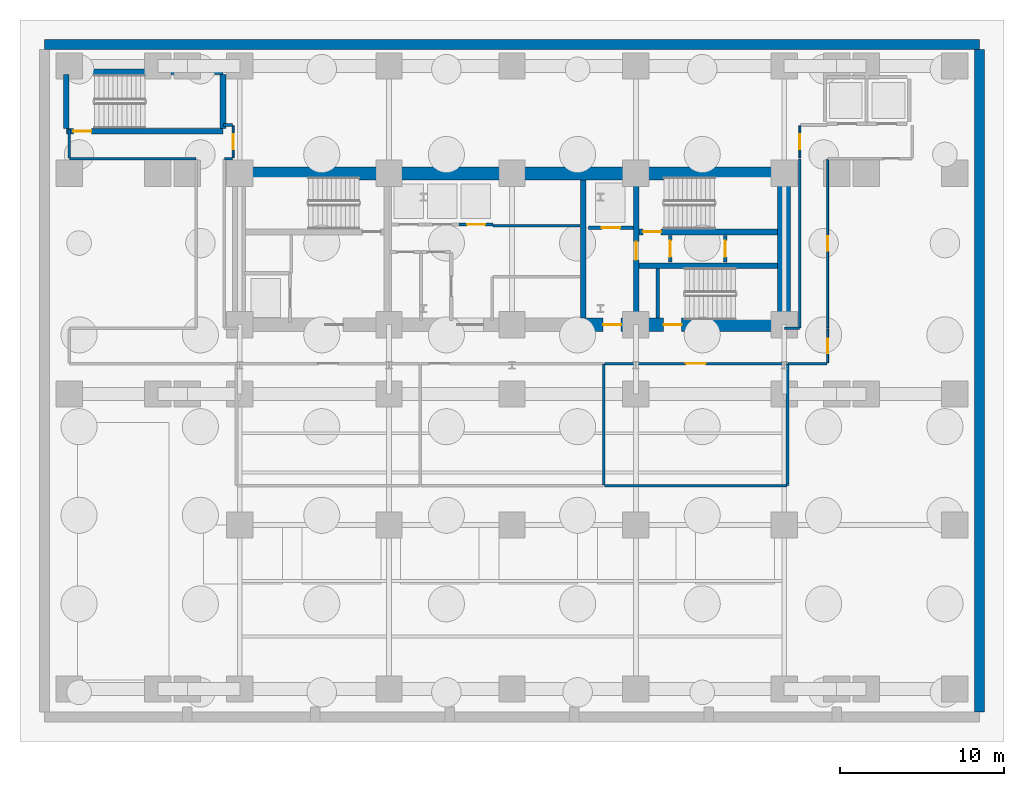
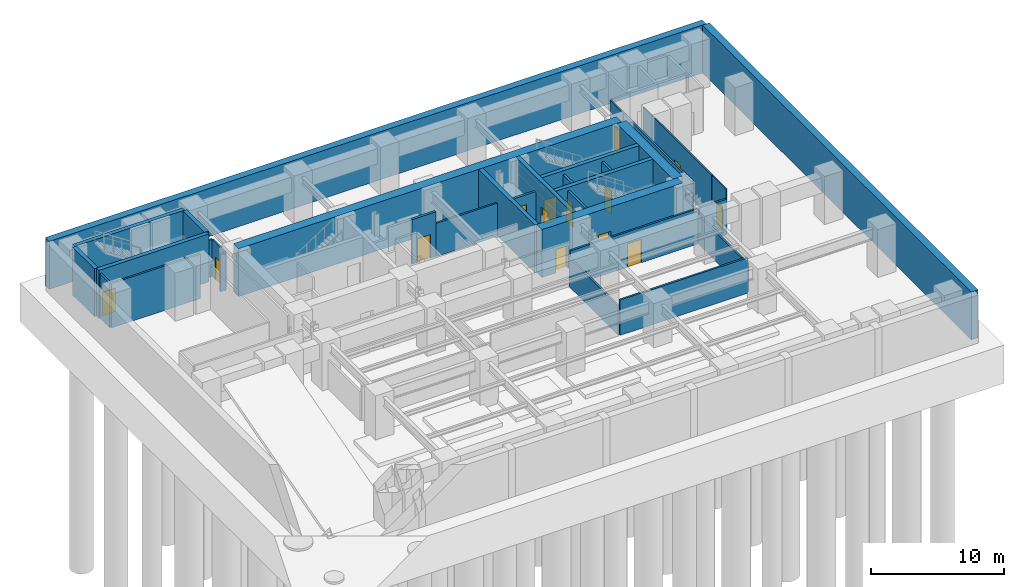
# One storey, part 4 of 9: 34 walls, 14 doors, 14 openings.
"""IFC4 building model written with IfcOpenShell, lengths in metres."""

from ifc_helpers import new_model, si_unit, direction, frame, frame_2d, origin, place, context, subcontext, project, spatial, rectangle, extrude, material, layer, layer_set, type_object, element, fill, save


model = new_model("IFC4")

# Units and contexts
model_context = context("Model", 3, precision=1e-05, world=origin(), true_north=direction((0.0, 1.0)))
body_context = subcontext(model_context, "Body", "Model", "MODEL_VIEW")
ifc_project = project(units=[si_unit("LENGTHUNIT", "METRE"), si_unit("AREAUNIT", "SQUARE_METRE"), si_unit("VOLUMEUNIT", "CUBIC_METRE"), si_unit("PLANEANGLEUNIT", "RADIAN"), si_unit("MASSUNIT", "GRAM", prefix="KILO")], contexts=[model_context])

# Site, building, storey
site_placement = place(None, origin())
site = spatial("IfcSite", under=ifc_project, at=site_placement, CompositionType="ELEMENT")
building_placement = place(site_placement, origin())
building = spatial("IfcBuilding", under=site, at=building_placement, Name="Zarnavel Station Tower", CompositionType="ELEMENT")
storey_placement = place(building_placement, frame((0.0, 0.0, -13.199951171875)))
storey = spatial("IfcBuildingStorey", under=building, at=storey_placement, Name="B03", CompositionType="ELEMENT", Elevation=-13.199951171875)

# Wall
ifc_material_1 = material(Name="Concrete C50/60", Category="concrete")
ifc_layer_1 = layer(ifc_material_1, 0.35009765625)
ifc_layer_set_1 = layer_set([ifc_layer_1], Name="CW_350")
wall_type_1 = type_object("IfcWallType", Name="CW_350", PredefinedType="SHEAR", material=ifc_layer_set_1)
wall_1_placement = place(storey_placement, frame((33.14990234375, 28.219970703125, 0.0), z_axis=(0.0, 0.0, 1.0), x_axis=(0.0, 1.0, 0.0)))
element("IfcWall", 1, at=wall_1_placement, inside=storey, type_object=wall_type_1, Name="B03 Rear Core Shear Wall DIV-E", PredefinedType="SHEAR", context=body_context, shape_type="SweptSolid", body=[
    extrude(rectangle(XDim=8.429931640625, YDim=0.35009765625, at=frame_2d((4.21484375, 0.0))), origin(), (0.0, 0.0, 1.0), 4.39990234375),
])

# Wall, opening, door
wall_2_placement = place(storey_placement, frame((36.3798828125, 28.219970703125, 0.0), z_axis=(0.0, 0.0, 1.0), x_axis=(0.0, 1.0, 0.0)))
wall_2 = element("IfcWall", 2, at=wall_2_placement, inside=storey, type_object=wall_type_1, Name="B03 Rear Core Shear Wall DIV-S2", PredefinedType="SHEAR", context=body_context, shape_type="SweptSolid", body=[
    extrude(rectangle(XDim=8.429931640625, YDim=0.35009765625, at=frame_2d((4.21484375, 0.0))), origin(), (0.0, 0.0, 1.0), 4.39990234375),
])
opening_1_placement = place(wall_2_placement, frame((3.56005859375, 0.0, 0.0)))
opening_1 = element("IfcOpeningElement", 3, at=opening_1_placement, cuts=wall_2, Name="Opening FD01", PredefinedType="OPENING", context=body_context, shape_type="SweptSolid", body=[
    extrude(rectangle(XDim=1.10009765625, YDim=2.14990234375, at=frame_2d((0.550048828125, 1.074951171875))), frame((0.0, 0.18505859375, 0.0), z_axis=(0.0, -1.0, 0.0), x_axis=(1.0, 0.0, 0.0)), (0.0, 0.0, 1.0), 0.3701171875),
])
ifc_material_2 = material(Name="Painted Galvanised Steel and Hardwood Leaf", Category="steel")
door_type_1 = type_object("IfcDoorType", Name="ID_STAIR_1100", OperationType="NOTDEFINED", PredefinedType="DOOR", material=ifc_material_2)
door_1_placement = place(opening_1_placement, origin())
door_1 = element("IfcDoor", 4, at=door_1_placement, inside=storey, type_object=door_type_1, Name="B03 East Stair Vestibule Fire Door", OperationType="SINGLE_SWING_LEFT", OverallHeight=2.14990234375, OverallWidth=1.10009765625, PredefinedType="DOOR", context=body_context, shape_type="SweptSolid", body=[
    extrude(rectangle(XDim=1.10009765625, YDim=2.14990234375, at=frame_2d((0.550048828125, 1.074951171875))), frame((0.0, 0.02490234375, 0.0), z_axis=(0.0, -1.0, 0.0), x_axis=(1.0, 0.0, 0.0)), (0.0, 0.0, 1.0), 0.050048828125),
])
fill(opening_1, door_1)

wall_3_placement = place(storey_placement, frame((44.97998046875, 33.47998046875, 0.0), z_axis=(0.0, 0.0, 1.0), x_axis=(-1.0, 0.0, 0.0)))
wall_3 = element("IfcWall", 5, at=wall_3_placement, inside=storey, type_object=wall_type_1, Name="B03 Rear Core Shear Wall DIV-H2", PredefinedType="SHEAR", context=body_context, shape_type="SweptSolid", body=[
    extrude(rectangle(XDim=8.425048828125, YDim=0.35009765625, at=frame_2d((4.21240234375, 0.0))), origin(), (0.0, 0.0, 1.0), 4.39990234375),
])
opening_2_placement = place(wall_3_placement, frame((7.080078125, 0.0, 0.0)))
opening_2 = element("IfcOpeningElement", 6, at=opening_2_placement, cuts=wall_3, Name="Opening FD01", PredefinedType="OPENING", context=body_context, shape_type="SweptSolid", body=[
    extrude(rectangle(XDim=1.10009765625, YDim=2.14990234375, at=frame_2d((0.550048828125, 1.074951171875))), frame((0.0, 0.18505859375, 0.0), z_axis=(0.0, -1.0, 0.0), x_axis=(1.0, 0.0, 0.0)), (0.0, 0.0, 1.0), 0.3701171875),
])
door_2_placement = place(opening_2_placement, origin())
door_2 = element("IfcDoor", 7, at=door_2_placement, inside=storey, type_object=door_type_1, Name="B03 Stair ST2 Lobby Fire Door", OperationType="SINGLE_SWING_RIGHT", OverallHeight=2.14990234375, OverallWidth=1.10009765625, PredefinedType="DOOR", context=body_context, shape_type="SweptSolid", body=[
    extrude(rectangle(XDim=1.10009765625, YDim=2.14990234375, at=frame_2d((0.550048828125, 1.074951171875))), frame((0.0, 0.02490234375, 0.0), z_axis=(0.0, -1.0, 0.0), x_axis=(1.0, 0.0, 0.0)), (0.0, 0.0, 1.0), 0.050048828125),
])
fill(opening_2, door_2)

# Walls
wall_4_placement = place(storey_placement, frame((36.554931640625, 31.419921875, 0.0), z_axis=(0.0, 0.0, 1.0), x_axis=(1.0, 0.0, 0.0)))
element("IfcWall", 8, at=wall_4_placement, inside=storey, type_object=wall_type_1, Name="B03 Rear Core Shear Wall DIV-H3", PredefinedType="SHEAR", context=body_context, shape_type="SweptSolid", body=[
    extrude(rectangle(XDim=8.425048828125, YDim=0.35009765625, at=frame_2d((4.21240234375, 0.0))), origin(), (0.0, 0.0, 1.0), 4.39990234375),
])
wall_5_placement = place(storey_placement, frame((1.6201171875, 43.239990234375, 0.0), z_axis=(0.0, 0.0, 1.0), x_axis=(1.0, 0.0, 0.0)))
element("IfcWall", 9, at=wall_5_placement, inside=storey, type_object=wall_type_1, Name="B03 Rear Core Shear Wall ST4-N", PredefinedType="SHEAR", context=body_context, shape_type="SweptSolid", body=[
    extrude(rectangle(XDim=9.559814453125, YDim=0.35009765625, at=frame_2d((4.77978515625, 0.0))), origin(), (0.0, 0.0, 1.0), 4.39990234375),
])

# Wall, opening, door
wall_6_placement = place(storey_placement, frame((11.179931640625, 39.6201171875, 0.0), z_axis=(0.0, 0.0, 1.0), x_axis=(-1.0, 0.0, 0.0)))
wall_6 = element("IfcWall", 10, at=wall_6_placement, inside=storey, type_object=wall_type_1, Name="B03 Rear Core Shear Wall ST4-S", PredefinedType="SHEAR", context=body_context, shape_type="SweptSolid", body=[
    extrude(rectangle(XDim=9.559814453125, YDim=0.35009765625, at=frame_2d((4.77978515625, 0.0))), origin(), (0.0, 0.0, 1.0), 4.39990234375),
])
opening_3_placement = place(wall_6_placement, frame((8.030029296875, 0.0, 0.0)))
opening_3 = element("IfcOpeningElement", 11, at=opening_3_placement, cuts=wall_6, Name="Opening FD01", PredefinedType="OPENING", context=body_context, shape_type="SweptSolid", body=[
    extrude(rectangle(XDim=1.10009765625, YDim=2.14990234375, at=frame_2d((0.550048828125, 1.074951171875))), frame((0.0, 0.18505859375, 0.0), z_axis=(0.0, -1.0, 0.0), x_axis=(1.0, 0.0, 0.0)), (0.0, 0.0, 1.0), 0.3701171875),
])
door_3_placement = place(opening_3_placement, origin())
door_3 = element("IfcDoor", 12, at=door_3_placement, inside=storey, type_object=door_type_1, Name="B03 Podium Stair ST4 Fire Door", OperationType="SINGLE_SWING_RIGHT", OverallHeight=2.14990234375, OverallWidth=1.10009765625, PredefinedType="DOOR", context=body_context, shape_type="SweptSolid", body=[
    extrude(rectangle(XDim=1.10009765625, YDim=2.14990234375, at=frame_2d((0.550048828125, 1.074951171875))), frame((0.0, 0.02490234375, 0.0), z_axis=(0.0, -1.0, 0.0), x_axis=(1.0, 0.0, 0.0)), (0.0, 0.0, 1.0), 0.050048828125),
])
fill(opening_3, door_3)

# Walls
for number, where, z_axis, x_axis, name in (
    (13, (1.6201171875, 39.794921875, 0.0), (0.0, 0.0, 1.0), (0.0, 1.0, 0.0), "B03 Rear Core Shear Wall ST4-W"),
    (14, (11.179931640625, 39.794921875, 0.0), (0.0, 0.0, 1.0), (0.0, 1.0, 0.0), "B03 Rear Core Shear Wall ST4-E"),
):
    element("IfcWall", number, at=place(storey_placement, frame(where, z_axis=z_axis, x_axis=x_axis)), inside=storey, type_object=wall_type_1, Name=name, PredefinedType="SHEAR", context=body_context, shape_type="SweptSolid", body=[
        extrude(rectangle(XDim=3.27001953125, YDim=0.35009765625, at=frame_2d((1.635009765625, 0.0))), origin(), (0.0, 0.0, 1.0), 4.39990234375),
    ])
ifc_material_3 = material(Name="Concrete C60/75", Category="concrete")
ifc_layer_2 = layer(ifc_material_3, 0.800048828125)
ifc_layer_set_2 = layer_set([ifc_layer_2], Name="CW_800")
wall_type_2 = type_object("IfcWallType", Name="CW_800", PredefinedType="SHEAR", material=ifc_layer_set_2)
wall_7_placement = place(storey_placement, frame((12.14990234375, 37.050048828125, 0.0), z_axis=(0.0, 0.0, 1.0), x_axis=(1.0, 0.0, 0.0)))
element("IfcWall", 15, at=wall_7_placement, inside=storey, type_object=wall_type_2, Name="B03 Rear Core Shear Wall N", PredefinedType="SHEAR", context=body_context, shape_type="SweptSolid", body=[
    extrude(rectangle(XDim=33.22998046875, YDim=0.800048828125, at=frame_2d((16.614990234375, 0.0))), origin(), (0.0, 0.0, 1.0), 4.39990234375),
])

# Wall, openings, doors
wall_8_placement = place(storey_placement, frame((45.3798828125, 27.820068359375, 0.0), z_axis=(0.0, 0.0, 1.0), x_axis=(-1.0, 0.0, 0.0)))
wall_8 = element("IfcWall", 16, at=wall_8_placement, inside=storey, type_object=wall_type_2, Name="B03 Rear Core Shear Wall S-E", PredefinedType="SHEAR", context=body_context, shape_type="SweptSolid", body=[
    extrude(rectangle(XDim=12.22998046875, YDim=0.800048828125, at=frame_2d((6.114990234375, 0.0))), origin(), (0.0, 0.0, 1.0), 4.39990234375),
])
opening_4_placement = place(wall_8_placement, frame((9.929931640625, 0.0, 0.0)))
opening_4 = element("IfcOpeningElement", 17, at=opening_4_placement, cuts=wall_8, Name="Opening FD01", PredefinedType="OPENING", context=body_context, shape_type="SweptSolid", body=[
    extrude(rectangle(XDim=1.10009765625, YDim=2.14990234375, at=frame_2d((0.550048828125, 1.074951171875))), frame((0.0, 0.409912109375, 0.0), z_axis=(0.0, -1.0, 0.0), x_axis=(1.0, 0.0, 0.0)), (0.0, 0.0, 1.0), 0.820068359375),
])
opening_5_placement = place(wall_8_placement, frame((6.22998046875, 0.0, 0.0)))
opening_5 = element("IfcOpeningElement", 18, at=opening_5_placement, cuts=wall_8, Name="Opening FD01", PredefinedType="OPENING", context=body_context, shape_type="SweptSolid", body=[
    extrude(rectangle(XDim=1.10009765625, YDim=2.14990234375, at=frame_2d((0.550048828125, 1.074951171875))), frame((0.0, 0.409912109375, 0.0), z_axis=(0.0, -1.0, 0.0), x_axis=(1.0, 0.0, 0.0)), (0.0, 0.0, 1.0), 0.820068359375),
])
door_4_placement = place(opening_4_placement, origin())
door_4 = element("IfcDoor", 19, at=door_4_placement, inside=storey, type_object=door_type_1, Name="B03 East Firefighting Lobby Door", OperationType="SINGLE_SWING_LEFT", OverallHeight=2.14990234375, OverallWidth=1.10009765625, PredefinedType="DOOR", context=body_context, shape_type="SweptSolid", body=[
    extrude(rectangle(XDim=1.10009765625, YDim=2.14990234375, at=frame_2d((0.550048828125, 1.074951171875))), frame((0.0, 0.02490234375, 0.0), z_axis=(0.0, -1.0, 0.0), x_axis=(1.0, 0.0, 0.0)), (0.0, 0.0, 1.0), 0.050048828125),
])
fill(opening_4, door_4)
door_5_placement = place(opening_5_placement, origin())
door_5 = element("IfcDoor", 20, at=door_5_placement, inside=storey, type_object=door_type_1, Name="B03 Stair ST3 Corridor Fire Door", OperationType="SINGLE_SWING_RIGHT", OverallHeight=2.14990234375, OverallWidth=1.10009765625, PredefinedType="DOOR", context=body_context, shape_type="SweptSolid", body=[
    extrude(rectangle(XDim=1.10009765625, YDim=2.14990234375, at=frame_2d((0.550048828125, 1.074951171875))), frame((0.0, 0.02490234375, 0.0), z_axis=(0.0, -1.0, 0.0), x_axis=(1.0, 0.0, 0.0)), (0.0, 0.0, 1.0), 0.050048828125),
])
fill(opening_5, door_5)

# Wall
wall_9_placement = place(storey_placement, frame((45.3798828125, 28.219970703125, 0.0), z_axis=(0.0, 0.0, 1.0), x_axis=(0.0, 1.0, 0.0)))
element("IfcWall", 21, at=wall_9_placement, inside=storey, type_object=wall_type_2, Name="B03 Rear Core Shear Wall E", PredefinedType="SHEAR", context=body_context, shape_type="SweptSolid", body=[
    extrude(rectangle(XDim=8.429931640625, YDim=0.800048828125, at=frame_2d((4.21484375, 0.0))), origin(), (0.0, 0.0, 1.0), 4.39990234375),
])

# Wall, opening, door
ifc_material_4 = material(Name="Gypsum Twin-Stud Acoustic Fire Partition", Category="concrete")
ifc_layer_3 = layer(ifc_material_4, 0.159912109375)
ifc_layer_set_3 = layer_set([ifc_layer_3], Name="PT_DEMISE_160")
wall_type_3 = type_object("IfcWallType", Name="PT_DEMISE_160", PredefinedType="PARTITIONING", material=ifc_layer_set_3)
wall_10_placement = place(storey_placement, frame((34.43994140625, 25.449951171875, 0.0), z_axis=(0.0, 0.0, 1.0), x_axis=(1.0, 0.0, 0.0)))
wall_10 = element("IfcWall", 22, at=wall_10_placement, inside=storey, type_object=wall_type_3, Name="B03 Partition COR-B-CHL", PredefinedType="PARTITIONING", context=body_context, shape_type="SweptSolid", body=[
    extrude(rectangle(XDim=11.1201171875, YDim=0.159912109375, at=frame_2d((5.56005859375, 0.0))), origin(), (0.0, 0.0, 1.0), 3.245849609375),
])
opening_6_placement = place(wall_10_placement, frame((4.9599609375, 0.0, 0.0)))
opening_6 = element("IfcOpeningElement", 23, at=opening_6_placement, cuts=wall_10, Name="Opening FD03", PredefinedType="OPENING", context=body_context, shape_type="SweptSolid", body=[
    extrude(rectangle(XDim=1.199951171875, YDim=2.14990234375, at=frame_2d((0.60009765625, 1.074951171875))), frame((0.0, 0.08984375, 0.0), z_axis=(0.0, -1.0, 0.0), x_axis=(1.0, 0.0, 0.0)), (0.0, 0.0, 1.0), 0.179931640625),
])
ifc_material_5 = material(Name="Painted Galvanised Steel and Hardwood Leaf", Category="steel")
door_type_2 = type_object("IfcDoorType", Name="ID_PLANT_1200", OperationType="NOTDEFINED", PredefinedType="DOOR", material=ifc_material_5)
door_6_placement = place(opening_6_placement, origin())
door_6 = element("IfcDoor", 24, at=door_6_placement, inside=storey, type_object=door_type_2, Name="B03 Door COR-B-CHL", OperationType="SINGLE_SWING_LEFT", OverallHeight=2.14990234375, OverallWidth=1.199951171875, PredefinedType="DOOR", context=body_context, shape_type="SweptSolid", body=[
    extrude(rectangle(XDim=1.199951171875, YDim=2.14990234375, at=frame_2d((0.60009765625, 1.074951171875))), frame((0.0, 0.02490234375, 0.0), z_axis=(0.0, -1.0, 0.0), x_axis=(1.0, 0.0, 0.0)), (0.0, 0.0, 1.0), 0.050048828125),
])
fill(opening_6, door_6)

# Walls
wall_11_placement = place(storey_placement, frame((34.43994140625, 18.0, 0.0), z_axis=(0.0, 0.0, 1.0), x_axis=(1.0, 0.0, 0.0)))
element("IfcWall", 25, at=wall_11_placement, inside=storey, type_object=wall_type_3, Name="B03 Partition CPK-S-CHL", PredefinedType="PARTITIONING", context=body_context, shape_type="SweptSolid", body=[
    extrude(rectangle(XDim=11.1201171875, YDim=0.159912109375, at=frame_2d((5.56005859375, 0.0))), origin(), (0.0, 0.0, 1.0), 3.245849609375),
])
wall_12_placement = place(storey_placement, frame((34.39990234375, 18.0400390625, 0.0), z_axis=(0.0, 0.0, 1.0), x_axis=(0.0, 1.0, 0.0)))
element("IfcWall", 26, at=wall_12_placement, inside=storey, type_object=wall_type_3, Name="B03 Partition WT2-CHL", PredefinedType="PARTITIONING", context=body_context, shape_type="SweptSolid", body=[
    extrude(rectangle(XDim=7.369873046875, YDim=0.159912109375, at=frame_2d((3.68505859375, 0.0))), origin(), (0.0, 0.0, 1.0), 2.659912109375),
])
wall_13_placement = place(storey_placement, frame((27.6298828125, 33.85009765625, 0.0), z_axis=(0.0, 0.0, 1.0), x_axis=(1.0, 0.0, 0.0)))
element("IfcWall", 27, at=wall_13_placement, inside=storey, type_object=wall_type_3, Name="B03 Enclosure Wall LLOBM", PredefinedType="PARTITIONING", context=body_context, shape_type="SweptSolid", body=[
    extrude(rectangle(XDim=5.31005859375, YDim=0.159912109375, at=frame_2d((2.655029296875, 0.0))), origin(), (0.0, 0.0, 1.0), 3.052001953125),
])
wall_14_placement = place(storey_placement, frame((45.6298828125, 25.449951171875, 0.0), z_axis=(0.0, 0.0, 1.0), x_axis=(1.0, 0.0, 0.0)))
element("IfcWall", 28, at=wall_14_placement, inside=storey, type_object=wall_type_3, Name="B03 Enclosure Wall COR-B", PredefinedType="PARTITIONING", context=body_context, shape_type="SweptSolid", body=[
    extrude(rectangle(XDim=2.39013671875, YDim=0.159912109375, at=frame_2d((1.195068359375, 0.0))), origin(), (0.0, 0.0, 1.0), 3.245849609375),
])
wall_15_placement = place(storey_placement, frame((45.409912109375, 27.60009765625, 0.0), z_axis=(0.0, 0.0, 1.0), x_axis=(1.0, 0.0, 0.0)))
element("IfcWall", 29, at=wall_15_placement, inside=storey, type_object=wall_type_3, Name="B03 Enclosure Wall COR-B", PredefinedType="PARTITIONING", context=body_context, shape_type="SweptSolid", body=[
    extrude(rectangle(XDim=0.91015625, YDim=0.159912109375, at=frame_2d((0.455078125, 0.0))), origin(), (0.0, 0.0, 1.0), 3.052001953125),
])
wall_16_placement = place(storey_placement, frame((46.35009765625, 27.6298828125, 0.0), z_axis=(0.0, 0.0, 1.0), x_axis=(0.0, 1.0, 0.0)))
element("IfcWall", 30, at=wall_16_placement, inside=storey, type_object=wall_type_3, Name="B03 Enclosure Wall COR-BE", PredefinedType="PARTITIONING", context=body_context, shape_type="SweptSolid", body=[
    extrude(rectangle(XDim=10.2900390625, YDim=0.159912109375, at=frame_2d((5.14501953125, 0.0))), origin(), (0.0, 0.0, 1.0), 4.079833984375),
])
wall_17_placement = place(storey_placement, frame((1.830078125, 37.949951171875, 0.0), z_axis=(0.0, 0.0, 1.0), x_axis=(1.0, 0.0, 0.0)))
element("IfcWall", 31, at=wall_17_placement, inside=storey, type_object=wall_type_3, Name="B03 Enclosure Wall COR-BN", PredefinedType="PARTITIONING", context=body_context, shape_type="SweptSolid", body=[
    extrude(rectangle(XDim=7.68994140625, YDim=0.159912109375, at=frame_2d((3.844970703125, 0.0))), origin(), (0.0, 0.0, 1.0), 4.079833984375),
])
wall_18_placement = place(storey_placement, frame((11.280029296875, 37.949951171875, 0.0), z_axis=(0.0, 0.0, 1.0), x_axis=(1.0, 0.0, 0.0)))
element("IfcWall", 32, at=wall_18_placement, inside=storey, type_object=wall_type_3, Name="B03 Enclosure Wall COR-BN", PredefinedType="PARTITIONING", context=body_context, shape_type="SweptSolid", body=[
    extrude(rectangle(XDim=0.489990234375, YDim=0.159912109375, at=frame_2d((0.2451171875, 0.0))), origin(), (0.0, 0.0, 1.0), 3.409912109375),
])
wall_19_placement = place(storey_placement, frame((11.2099609375, 40.0, 0.0), z_axis=(0.0, 0.0, 1.0), x_axis=(1.0, 0.0, 0.0)))
element("IfcWall", 33, at=wall_19_placement, inside=storey, type_object=wall_type_3, Name="B03 Enclosure Wall COR-BN", PredefinedType="PARTITIONING", context=body_context, shape_type="SweptSolid", body=[
    extrude(rectangle(XDim=0.56005859375, YDim=0.159912109375, at=frame_2d((0.280029296875, 0.0))), origin(), (0.0, 0.0, 1.0), 3.409912109375),
])
wall_20_placement = place(storey_placement, frame((1.800048828125, 37.97998046875, 0.0), z_axis=(0.0, 0.0, 1.0), x_axis=(0.0, 1.0, 0.0)))
element("IfcWall", 34, at=wall_20_placement, inside=storey, type_object=wall_type_3, Name="B03 Enclosure Wall COR-BN", PredefinedType="PARTITIONING", context=body_context, shape_type="SweptSolid", body=[
    extrude(rectangle(XDim=1.784912109375, YDim=0.159912109375, at=frame_2d((0.892578125, 0.0))), origin(), (0.0, 0.0, 1.0), 4.079833984375),
])
wall_21_placement = place(storey_placement, frame((45.60009765625, 18.030029296875, 0.0), z_axis=(0.0, 0.0, 1.0), x_axis=(0.0, 1.0, 0.0)))
element("IfcWall", 35, at=wall_21_placement, inside=storey, type_object=wall_type_3, Name="B03 Enclosure Wall CHL", PredefinedType="PARTITIONING", context=body_context, shape_type="SweptSolid", body=[
    extrude(rectangle(XDim=7.389892578125, YDim=0.159912109375, at=frame_2d((3.69482421875, 0.0))), origin(), (0.0, 0.0, 1.0), 2.659912109375),
])

# Wall, opening, door
ifc_material_6 = material(Name="Gypsum Metal-Stud Interior Partition", Category="concrete")
ifc_layer_4 = layer(ifc_material_6, 0.1201171875)
ifc_layer_set_4 = layer_set([ifc_layer_4], Name="PT_ROOM_120")
wall_type_4 = type_object("IfcWallType", Name="PT_ROOM_120", PredefinedType="PARTITIONING", material=ifc_layer_set_4)
wall_22_placement = place(storey_placement, frame((48.050048828125, 25.489990234375, 0.0), z_axis=(0.0, 0.0, 1.0), x_axis=(0.0, 1.0, 0.0)))
wall_22 = element("IfcWall", 36, at=wall_22_placement, inside=storey, type_object=wall_type_4, Name="B03 Partition COR-B-CPK-E", PredefinedType="PARTITIONING", context=body_context, shape_type="SweptSolid", body=[
    extrude(rectangle(XDim=2.070068359375, YDim=0.1201171875, at=frame_2d((1.03515625, 0.0))), origin(), (0.0, 0.0, 1.0), 4.079833984375),
])
opening_7_placement = place(wall_22_placement, frame((0.5849609375, 0.0, 0.0)))
opening_7 = element("IfcOpeningElement", 37, at=opening_7_placement, cuts=wall_22, Name="Opening ID01", PredefinedType="OPENING", context=body_context, shape_type="SweptSolid", body=[
    extrude(rectangle(XDim=0.89990234375, YDim=2.10009765625, at=frame_2d((0.449951171875, 1.050048828125))), frame((0.0, 0.070068359375, 0.0), z_axis=(0.0, -1.0, 0.0), x_axis=(1.0, 0.0, 0.0)), (0.0, 0.0, 1.0), 0.14013671875),
])
ifc_material_7 = material(Name="Painted Galvanised Steel and Hardwood Leaf", Category="steel")
door_type_3 = type_object("IfcDoorType", Name="ID_ROOM_900", OperationType="NOTDEFINED", PredefinedType="DOOR", material=ifc_material_7)
door_7_placement = place(opening_7_placement, origin())
door_7 = element("IfcDoor", 38, at=door_7_placement, inside=storey, type_object=door_type_3, Name="B03 Door COR-B-CPK-E", OperationType="SINGLE_SWING_RIGHT", OverallHeight=2.10009765625, OverallWidth=0.89990234375, PredefinedType="DOOR", context=body_context, shape_type="SweptSolid", body=[
    extrude(rectangle(XDim=0.89990234375, YDim=2.10009765625, at=frame_2d((0.449951171875, 1.050048828125))), frame((0.0, 0.02490234375, 0.0), z_axis=(0.0, -1.0, 0.0), x_axis=(1.0, 0.0, 0.0)), (0.0, 0.0, 1.0), 0.050048828125),
])
fill(opening_7, door_7)

wall_23_placement = place(storey_placement, frame((48.050048828125, 27.639892578125, 0.0), z_axis=(0.0, 0.0, 1.0), x_axis=(0.0, 1.0, 0.0)))
wall_23 = element("IfcWall", 39, at=wall_23_placement, inside=storey, type_object=wall_type_4, Name="B03 Partition COR-BE-CPK-E", PredefinedType="PARTITIONING", context=body_context, shape_type="SweptSolid", body=[
    extrude(rectangle(XDim=10.27001953125, YDim=0.1201171875, at=frame_2d((5.135009765625, 0.0))), origin(), (0.0, 0.0, 1.0), 4.079833984375),
])
opening_8_placement = place(wall_23_placement, frame((4.68505859375, 0.0, 0.0)))
opening_8 = element("IfcOpeningElement", 40, at=opening_8_placement, cuts=wall_23, Name="Opening ID01", PredefinedType="OPENING", context=body_context, shape_type="SweptSolid", body=[
    extrude(rectangle(XDim=0.89990234375, YDim=2.10009765625, at=frame_2d((0.449951171875, 1.050048828125))), frame((0.0, 0.070068359375, 0.0), z_axis=(0.0, -1.0, 0.0), x_axis=(1.0, 0.0, 0.0)), (0.0, 0.0, 1.0), 0.14013671875),
])
door_8_placement = place(opening_8_placement, origin())
door_8 = element("IfcDoor", 41, at=door_8_placement, inside=storey, type_object=door_type_3, Name="B03 Door COR-BE-CPK-E", OperationType="SINGLE_SWING_RIGHT", OverallHeight=2.10009765625, OverallWidth=0.89990234375, PredefinedType="DOOR", context=body_context, shape_type="SweptSolid", body=[
    extrude(rectangle(XDim=0.89990234375, YDim=2.10009765625, at=frame_2d((0.449951171875, 1.050048828125))), frame((0.0, 0.02490234375, 0.0), z_axis=(0.0, -1.0, 0.0), x_axis=(1.0, 0.0, 0.0)), (0.0, 0.0, 1.0), 0.050048828125),
])
fill(opening_8, door_8)

wall_24_placement = place(storey_placement, frame((46.35009765625, 37.989990234375, 0.0), z_axis=(0.0, 0.0, 1.0), x_axis=(0.0, 1.0, 0.0)))
wall_24 = element("IfcWall", 42, at=wall_24_placement, inside=storey, type_object=wall_type_4, Name="B03 Partition COR-BE-CPK-N", PredefinedType="PARTITIONING", context=body_context, shape_type="SweptSolid", body=[
    extrude(rectangle(XDim=1.969970703125, YDim=0.1201171875, at=frame_2d((0.98486328125, 0.0))), origin(), (0.0, 0.0, 1.0), 4.079833984375),
])
opening_9_placement = place(wall_24_placement, frame((0.534912109375, 0.0, 0.0)))
opening_9 = element("IfcOpeningElement", 43, at=opening_9_placement, cuts=wall_24, Name="Opening ID01", PredefinedType="OPENING", context=body_context, shape_type="SweptSolid", body=[
    extrude(rectangle(XDim=0.89990234375, YDim=2.10009765625, at=frame_2d((0.449951171875, 1.050048828125))), frame((0.0, 0.070068359375, 0.0), z_axis=(0.0, -1.0, 0.0), x_axis=(1.0, 0.0, 0.0)), (0.0, 0.0, 1.0), 0.14013671875),
])
door_9_placement = place(opening_9_placement, origin())
door_9 = element("IfcDoor", 44, at=door_9_placement, inside=storey, type_object=door_type_3, Name="B03 Door COR-BE-CPK-N", OperationType="SINGLE_SWING_LEFT", OverallHeight=2.10009765625, OverallWidth=0.89990234375, PredefinedType="DOOR", context=body_context, shape_type="SweptSolid", body=[
    extrude(rectangle(XDim=0.89990234375, YDim=2.10009765625, at=frame_2d((0.449951171875, 1.050048828125))), frame((0.0, 0.02490234375, 0.0), z_axis=(0.0, -1.0, 0.0), x_axis=(1.0, 0.0, 0.0)), (0.0, 0.0, 1.0), 0.050048828125),
])
fill(opening_9, door_9)

wall_25_placement = place(storey_placement, frame((11.800048828125, 37.989990234375, 0.0), z_axis=(0.0, 0.0, 1.0), x_axis=(0.0, 1.0, 0.0)))
wall_25 = element("IfcWall", 45, at=wall_25_placement, inside=storey, type_object=wall_type_4, Name="B03 Partition COR-BN-CPK-N", PredefinedType="PARTITIONING", context=body_context, shape_type="SweptSolid", body=[
    extrude(rectangle(XDim=1.969970703125, YDim=0.1201171875, at=frame_2d((0.98486328125, 0.0))), origin(), (0.0, 0.0, 1.0), 3.409912109375),
])
opening_10_placement = place(wall_25_placement, frame((0.534912109375, 0.0, 0.0)))
opening_10 = element("IfcOpeningElement", 46, at=opening_10_placement, cuts=wall_25, Name="Opening ID01", PredefinedType="OPENING", context=body_context, shape_type="SweptSolid", body=[
    extrude(rectangle(XDim=0.89990234375, YDim=2.10009765625, at=frame_2d((0.449951171875, 1.050048828125))), frame((0.0, 0.070068359375, 0.0), z_axis=(0.0, -1.0, 0.0), x_axis=(1.0, 0.0, 0.0)), (0.0, 0.0, 1.0), 0.14013671875),
])
door_10_placement = place(opening_10_placement, origin())
door_10 = element("IfcDoor", 47, at=door_10_placement, inside=storey, type_object=door_type_3, Name="B03 Door COR-BN-CPK-N", OperationType="SINGLE_SWING_LEFT", OverallHeight=2.10009765625, OverallWidth=0.89990234375, PredefinedType="DOOR", context=body_context, shape_type="SweptSolid", body=[
    extrude(rectangle(XDim=0.89990234375, YDim=2.10009765625, at=frame_2d((0.449951171875, 1.050048828125))), frame((0.0, 0.02490234375, 0.0), z_axis=(0.0, -1.0, 0.0), x_axis=(1.0, 0.0, 0.0)), (0.0, 0.0, 1.0), 0.050048828125),
])
fill(opening_10, door_10)

ifc_material_8 = material(Name="Precast concrete C45/55 (Fire Shaft Blockwork)", Category="masonry")
ifc_layer_5 = layer(ifc_material_8, 0.199951171875)
ifc_layer_set_5 = layer_set([ifc_layer_5], Name="PT_SHAFT_200")
wall_type_5 = type_object("IfcWallType", Name="PT_SHAFT_200", PredefinedType="PARTITIONING", material=ifc_layer_set_5)
wall_26_placement = place(storey_placement, frame((33.47509765625, 33.72998046875, 0.0), z_axis=(0.0, 0.0, 1.0), x_axis=(1.0, 0.0, 0.0)))
wall_26 = element("IfcWall", 48, at=wall_26_placement, inside=storey, type_object=wall_type_5, Name="B03 Lift FFL-02 Shaft Front Wall", PredefinedType="PARTITIONING", context=body_context, shape_type="SweptSolid", body=[
    extrude(rectangle(XDim=2.724853515625, YDim=0.199951171875, at=frame_2d((1.3623046875, 0.0))), origin(), (0.0, 0.0, 1.0), 3.052001953125),
])
opening_11_placement = place(wall_26_placement, frame((0.8125, 0.0, 0.0)))
opening_11 = element("IfcOpeningElement", 49, at=opening_11_placement, cuts=wall_26, Name="Opening LD01", PredefinedType="OPENING", context=body_context, shape_type="SweptSolid", body=[
    extrude(rectangle(XDim=1.10009765625, YDim=2.14990234375, at=frame_2d((0.550048828125, 1.074951171875))), frame((0.0, 0.10986328125, 0.0), z_axis=(0.0, -1.0, 0.0), x_axis=(1.0, 0.0, 0.0)), (0.0, 0.0, 1.0), 0.219970703125),
])
ifc_material_9 = material(Name="Painted Galvanised Steel and Hardwood Leaf", Category="steel")
door_type_4 = type_object("IfcDoorType", Name="LD_FF_1100", OperationType="DOUBLE_DOOR_SLIDING", PredefinedType="DOOR", material=ifc_material_9)
door_11_placement = place(opening_11_placement, origin())
door_11 = element("IfcDoor", 50, at=door_11_placement, inside=storey, type_object=door_type_4, Name="B03 Lift FFL-02 Sliding Landing Door", OperationType="DOUBLE_DOOR_SLIDING", OverallHeight=2.14990234375, OverallWidth=1.10009765625, PredefinedType="DOOR", context=body_context, shape_type="SweptSolid", body=[
    extrude(rectangle(XDim=1.10009765625, YDim=2.14990234375, at=frame_2d((0.550048828125, 1.074951171875))), frame((0.0, 0.02490234375, 0.0), z_axis=(0.0, -1.0, 0.0), x_axis=(1.0, 0.0, 0.0)), (0.0, 0.0, 1.0), 0.050048828125),
])
fill(opening_11, door_11)

wall_27_placement = place(storey_placement, frame((25.574951171875, 33.929931640625, 0.0), z_axis=(0.0, 0.0, 1.0), x_axis=(1.0, 0.0, 0.0)))
wall_27 = element("IfcWall", 51, at=wall_27_placement, inside=storey, type_object=wall_type_5, Name="B03 Lift PL-L3 Shaft Front Wall", PredefinedType="PARTITIONING", context=body_context, shape_type="SweptSolid", body=[
    extrude(rectangle(XDim=2.074951171875, YDim=0.199951171875, at=frame_2d((1.03759765625, 0.0))), origin(), (0.0, 0.0, 1.0), 4.079833984375),
])
opening_12_placement = place(wall_27_placement, frame((0.487548828125, 0.0, 0.0)))
opening_12 = element("IfcOpeningElement", 52, at=opening_12_placement, cuts=wall_27, Name="Opening LD02", PredefinedType="OPENING", context=body_context, shape_type="SweptSolid", body=[
    extrude(rectangle(XDim=1.10009765625, YDim=2.14990234375, at=frame_2d((0.550048828125, 1.074951171875))), frame((0.0, 0.10986328125, 0.0), z_axis=(0.0, -1.0, 0.0), x_axis=(1.0, 0.0, 0.0)), (0.0, 0.0, 1.0), 0.219970703125),
])
ifc_material_10 = material(Name="Painted Galvanised Steel and Hardwood Leaf", Category="steel")
door_type_5 = type_object("IfcDoorType", Name="LD_PAX_1100", OperationType="DOUBLE_DOOR_SLIDING", PredefinedType="DOOR", material=ifc_material_10)
door_12_placement = place(opening_12_placement, origin())
door_12 = element("IfcDoor", 53, at=door_12_placement, inside=storey, type_object=door_type_5, Name="B03 Lift PL-L3 Sliding Landing Door", OperationType="DOUBLE_DOOR_SLIDING", OverallHeight=2.14990234375, OverallWidth=1.10009765625, PredefinedType="DOOR", context=body_context, shape_type="SweptSolid", body=[
    extrude(rectangle(XDim=1.10009765625, YDim=2.14990234375, at=frame_2d((0.550048828125, 1.074951171875))), frame((0.0, 0.02490234375, 0.0), z_axis=(0.0, -1.0, 0.0), x_axis=(1.0, 0.0, 0.0)), (0.0, 0.0, 1.0), 0.050048828125),
])
fill(opening_12, door_12)

# Wall
wall_28_placement = place(storey_placement, frame((37.679931640625, 28.219970703125, 0.0), z_axis=(0.0, 0.0, 1.0), x_axis=(0.0, 1.0, 0.0)))
element("IfcWall", 54, at=wall_28_placement, inside=storey, type_object=wall_type_5, Name="B03 Stair ST3 West Shaft Wall", PredefinedType="PARTITIONING", context=body_context, shape_type="SweptSolid", body=[
    extrude(rectangle(XDim=3.030029296875, YDim=0.199951171875, at=frame_2d((1.51513671875, 0.0))), origin(), (0.0, 0.0, 1.0), 4.079833984375),
])

# Wall, opening, door
wall_29_placement = place(storey_placement, frame((38.449951171875, 31.639892578125, 0.0), z_axis=(0.0, 0.0, 1.0), x_axis=(0.0, 1.0, 0.0)))
wall_29 = element("IfcWall", 55, at=wall_29_placement, inside=storey, type_object=wall_type_5, Name="B03 Partition ESTV-CEA", PredefinedType="PARTITIONING", context=body_context, shape_type="SweptSolid", body=[
    extrude(rectangle(XDim=1.6201171875, YDim=0.199951171875, at=frame_2d((0.81005859375, 0.0))), origin(), (0.0, 0.0, 1.0), 4.079833984375),
])
opening_13_placement = place(wall_29_placement, frame((0.31005859375, 0.0, 0.0)))
opening_13 = element("IfcOpeningElement", 56, at=opening_13_placement, cuts=wall_29, Name="Opening FD02", PredefinedType="OPENING", context=body_context, shape_type="SweptSolid", body=[
    extrude(rectangle(XDim=1.0, YDim=2.14990234375, at=frame_2d((0.5, 1.074951171875))), frame((0.0, 0.10986328125, 0.0), z_axis=(0.0, -1.0, 0.0), x_axis=(1.0, 0.0, 0.0)), (0.0, 0.0, 1.0), 0.219970703125),
])
ifc_material_11 = material(Name="Painted Galvanised Steel and Hardwood Leaf", Category="steel")
door_type_6 = type_object("IfcDoorType", Name="ID_ENTRY_1000", OperationType="NOTDEFINED", PredefinedType="DOOR", material=ifc_material_11)
door_13_placement = place(opening_13_placement, origin())
door_13 = element("IfcDoor", 57, at=door_13_placement, inside=storey, type_object=door_type_6, Name="B03 Door ESTV-CEA", OperationType="SINGLE_SWING_LEFT", OverallHeight=2.14990234375, OverallWidth=1.0, PredefinedType="DOOR", context=body_context, shape_type="SweptSolid", body=[
    extrude(rectangle(XDim=1.0, YDim=2.14990234375, at=frame_2d((0.5, 1.074951171875))), frame((0.0, 0.02490234375, 0.0), z_axis=(0.0, -1.0, 0.0), x_axis=(1.0, 0.0, 0.0)), (0.0, 0.0, 1.0), 0.050048828125),
])
fill(opening_13, door_13)

wall_30_placement = place(storey_placement, frame((41.800048828125, 31.639892578125, 0.0), z_axis=(0.0, 0.0, 1.0), x_axis=(0.0, 1.0, 0.0)))
wall_30 = element("IfcWall", 58, at=wall_30_placement, inside=storey, type_object=wall_type_5, Name="B03 Partition CEA-CEB", PredefinedType="PARTITIONING", context=body_context, shape_type="SweptSolid", body=[
    extrude(rectangle(XDim=1.6201171875, YDim=0.199951171875, at=frame_2d((0.81005859375, 0.0))), origin(), (0.0, 0.0, 1.0), 4.079833984375),
])
opening_14_placement = place(wall_30_placement, frame((0.31005859375, 0.0, 0.0)))
opening_14 = element("IfcOpeningElement", 59, at=opening_14_placement, cuts=wall_30, Name="Opening FD02", PredefinedType="OPENING", context=body_context, shape_type="SweptSolid", body=[
    extrude(rectangle(XDim=1.0, YDim=2.14990234375, at=frame_2d((0.5, 1.074951171875))), frame((0.0, 0.10986328125, 0.0), z_axis=(0.0, -1.0, 0.0), x_axis=(1.0, 0.0, 0.0)), (0.0, 0.0, 1.0), 0.219970703125),
])
door_14_placement = place(opening_14_placement, origin())
door_14 = element("IfcDoor", 60, at=door_14_placement, inside=storey, type_object=door_type_6, Name="B03 Door CEA-CEB", OperationType="SINGLE_SWING_RIGHT", OverallHeight=2.14990234375, OverallWidth=1.0, PredefinedType="DOOR", context=body_context, shape_type="SweptSolid", body=[
    extrude(rectangle(XDim=1.0, YDim=2.14990234375, at=frame_2d((0.5, 1.074951171875))), frame((0.0, 0.02490234375, 0.0), z_axis=(0.0, -1.0, 0.0), x_axis=(1.0, 0.0, 0.0)), (0.0, 0.0, 1.0), 0.050048828125),
])
fill(opening_14, door_14)

# Walls
ifc_material_12 = material(Name="Concrete C45/55", Category="concrete")
ifc_layer_6 = layer(ifc_material_12, 0.60009765625)
ifc_layer_set_6 = layer_set([ifc_layer_6], Name="RW_600")
wall_type_6 = type_object("IfcWallType", Name="RW_600", PredefinedType="USERDEFINED", material=ifc_layer_set_6)
wall_31_placement = place(storey_placement, frame((0.300048828125, 44.89990234375, 0.0), z_axis=(0.0, 0.0, 1.0), x_axis=(1.0, 0.0, 0.0)))
element("IfcWall", 61, at=wall_31_placement, inside=storey, type_object=wall_type_6, Name="B03 Perimeter Retaining Wall N", ObjectType="RETAININGWALL", PredefinedType="USERDEFINED", context=body_context, shape_type="SweptSolid", body=[
    extrude(rectangle(XDim=57.0, YDim=0.60009765625, at=frame_2d((28.5, 0.0))), origin(), (0.0, 0.0, 1.0), 4.39990234375),
])
wall_32_placement = place(storey_placement, frame((57.300048828125, 4.199951171875, 0.0), z_axis=(0.0, 0.0, 1.0), x_axis=(0.0, 1.0, 0.0)))
element("IfcWall", 62, at=wall_32_placement, inside=storey, type_object=wall_type_6, Name="B03 Perimeter Retaining Wall E", ObjectType="RETAININGWALL", PredefinedType="USERDEFINED", context=body_context, shape_type="SweptSolid", body=[
    extrude(rectangle(XDim=40.400146484375, YDim=0.60009765625, at=frame_2d((20.2001953125, 0.0))), origin(), (0.0, 0.0, 1.0), 4.39990234375),
])

save(model, "model.ifc")
